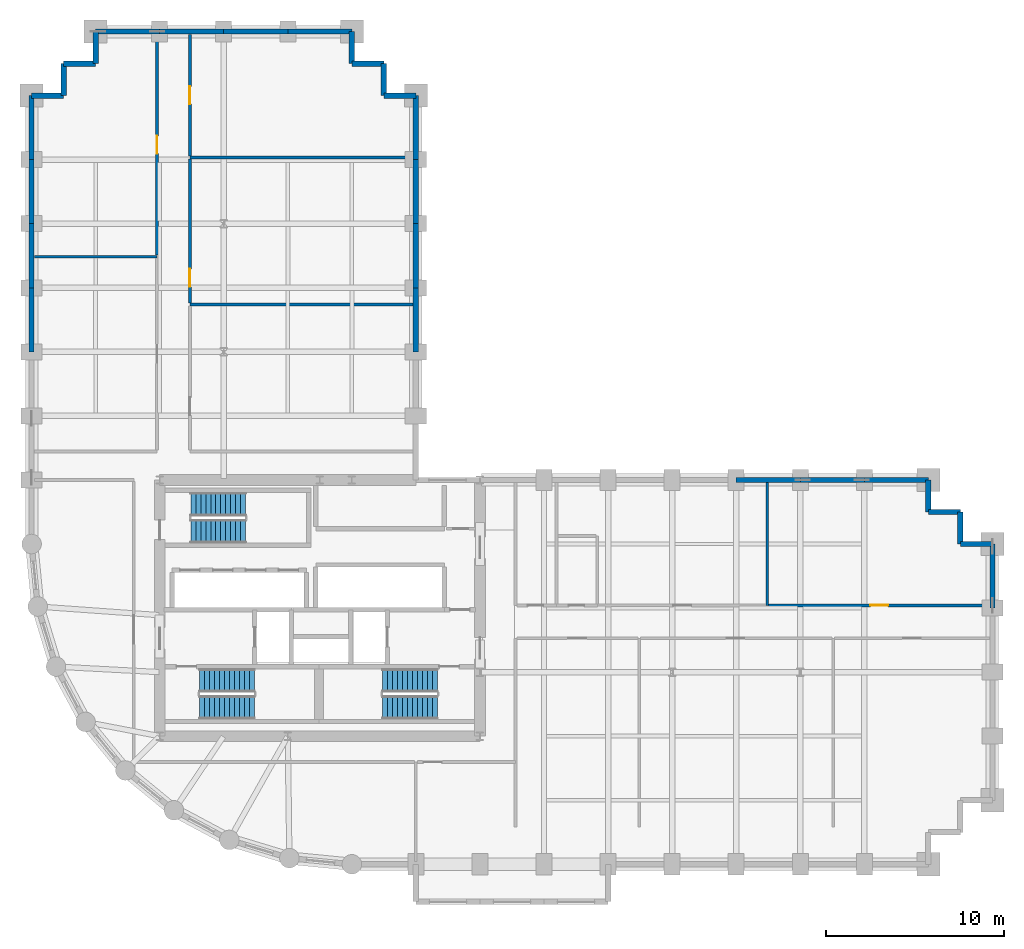
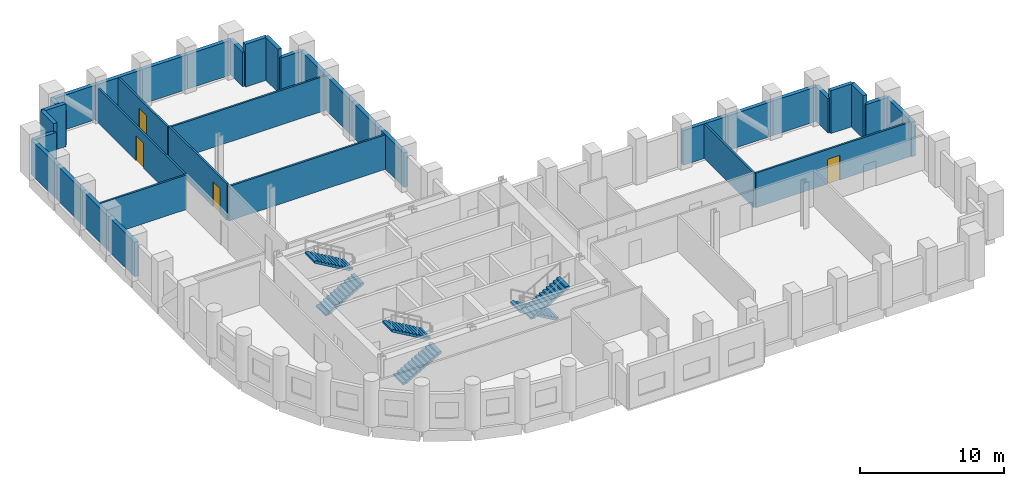
# One storey, part 8 of 9: 36 walls, 6 stair flights, 4 doors, 4 openings, 3 elements without a shape of their own.
"""IFC4 building model written with IfcOpenShell, lengths in metres."""

from ifc_helpers import new_model, si_unit, direction, frame, frame_2d, origin, place, context, subcontext, project, spatial, polyline, rectangle, outline, extrude, material, layer, layer_set, type_object, element, fill, aggregate, save


model = new_model("IFC4")

# Units and contexts
model_context = context("Model", 3, precision=1e-05, world=origin(), true_north=direction((0.0, 1.0)))
body_context = subcontext(model_context, "Body", "Model", "MODEL_VIEW")
ifc_project = project(units=[si_unit("LENGTHUNIT", "METRE"), si_unit("AREAUNIT", "SQUARE_METRE"), si_unit("VOLUMEUNIT", "CUBIC_METRE"), si_unit("PLANEANGLEUNIT", "RADIAN"), si_unit("MASSUNIT", "GRAM", prefix="KILO")], contexts=[model_context])

# Site, building, storey
site_placement = place(None, origin())
site = spatial("IfcSite", under=ifc_project, at=site_placement, CompositionType="ELEMENT")
building_placement = place(site_placement, origin())
building = spatial("IfcBuilding", under=site, at=building_placement, Name="Solnavia Interchange Tower", CompositionType="ELEMENT")
storey_placement = place(building_placement, frame((0.0, 0.0, 59.10009765625)))
storey = spatial("IfcBuildingStorey", under=building, at=storey_placement, Name="L14", CompositionType="ELEMENT", Elevation=59.10009765625)

# Walls
ifc_material_1 = material(Name="Concrete C40/50", Category="concrete")
ifc_layer_1 = layer(ifc_material_1, 0.300048828125)
ifc_layer_set_1 = layer_set([ifc_layer_1], Name="Concrete C40/50")
wall_type_1 = type_object("IfcWallType", Name="Wall-ExtSpandrel-300", PredefinedType="STANDARD", material=ifc_layer_set_1)
wall_1_placement = place(storey_placement, frame((61.199951171875, 21.60009765625, 0.0), z_axis=(0.0, 0.0, 1.0), x_axis=(0.0, -1.0, 0.0)))
element("IfcWall", 1, at=wall_1_placement, inside=storey, type_object=wall_type_1, Name="EXW-L14-19 Exterior precast spandrel wall", PredefinedType="STANDARD", context=body_context, shape_type="SweptSolid", body=[
    extrude(rectangle(XDim=3.60009765625, YDim=0.300048828125, at=frame_2d((1.800048828125, 0.0))), origin(), (0.0, 0.0, 1.0), 2.929931640625),
])
wall_2_placement = place(storey_placement, frame((61.199951171875, 21.60009765625, 0.0), z_axis=(0.0, 0.0, 1.0), x_axis=(-1.0, 0.0, 0.0)))
element("IfcWall", 2, at=wall_2_placement, inside=storey, type_object=wall_type_1, Name="EXW-L14-20 Exterior precast spandrel wall", PredefinedType="STANDARD", context=body_context, shape_type="SweptSolid", body=[
    extrude(rectangle(XDim=1.800048828125, YDim=0.300048828125, at=frame_2d((0.89990234375, 0.0))), origin(), (0.0, 0.0, 1.0), 2.929931640625),
])
for number, where, z_axis, x_axis, name in (
    (3, (59.39990234375, 23.39990234375, 0.0), (0.0, 0.0, 1.0), (0.0, -1.0, 0.0), "EXW-L14-21 Exterior precast spandrel wall"),
    (4, (57.60009765625, 23.39990234375, 0.0), (0.0, 0.0, 1.0), (1.0, 0.0, 0.0), "EXW-L14-22 Exterior precast spandrel wall"),
):
    element("IfcWall", number, at=place(storey_placement, frame(where, z_axis=z_axis, x_axis=x_axis)), inside=storey, type_object=wall_type_1, Name=name, PredefinedType="STANDARD", context=body_context, shape_type="SweptSolid", body=[
        extrude(rectangle(XDim=1.7998046875, YDim=0.300048828125, at=frame_2d((0.89990234375, 0.0))), origin(), (0.0, 0.0, 1.0), 3.635009765625),
    ])
wall_3_placement = place(storey_placement, frame((57.60009765625, 25.199951171875, 0.0), z_axis=(0.0, 0.0, 1.0), x_axis=(0.0, -1.0, 0.0)))
element("IfcWall", 5, at=wall_3_placement, inside=storey, type_object=wall_type_1, Name="EXW-L14-23 Exterior precast spandrel wall", PredefinedType="STANDARD", context=body_context, shape_type="SweptSolid", body=[
    extrude(rectangle(XDim=1.800048828125, YDim=0.300048828125, at=frame_2d((0.89990234375, 0.0))), origin(), (0.0, 0.0, 1.0), 2.929931640625),
])
for number, where, z_axis, x_axis, name in (
    (6, (54.0, 25.199951171875, 0.0), (0.0, 0.0, 1.0), (1.0, 0.0, 0.0), "EXW-L14-24 Exterior precast spandrel wall"),
    (7, (50.39990234375, 25.199951171875, 0.0), (0.0, 0.0, 1.0), (1.0, 0.0, 0.0), "EXW-L14-25 Exterior precast spandrel wall"),
):
    element("IfcWall", number, at=place(storey_placement, frame(where, z_axis=z_axis, x_axis=x_axis)), inside=storey, type_object=wall_type_1, Name=name, PredefinedType="STANDARD", context=body_context, shape_type="SweptSolid", body=[
        extrude(rectangle(XDim=3.60009765625, YDim=0.300048828125, at=frame_2d((1.800048828125, 0.0))), origin(), (0.0, 0.0, 1.0), 2.929931640625),
    ])
wall_4_placement = place(storey_placement, frame((46.800048828125, 25.199951171875, 0.0), z_axis=(0.0, 0.0, 1.0), x_axis=(1.0, 0.0, 0.0)))
element("IfcWall", 8, at=wall_4_placement, inside=storey, type_object=wall_type_1, Name="EXW-L14-26 Exterior precast spandrel wall", PredefinedType="STANDARD", context=body_context, shape_type="SweptSolid", body=[
    extrude(rectangle(XDim=3.599853515625, YDim=0.300048828125, at=frame_2d((1.7998046875, 0.0))), origin(), (0.0, 0.0, 1.0), 2.929931640625),
])
for number, where, z_axis, x_axis, name in (
    (9, (28.800048828125, 32.39990234375, 0.0), (0.0, 0.0, 1.0), (0.0, 1.0, 0.0), "EXW-L14-34 Exterior precast spandrel wall"),
    (10, (28.800048828125, 36.0, 0.0), (0.0, 0.0, 1.0), (0.0, 1.0, 0.0), "EXW-L14-35 Exterior precast spandrel wall"),
):
    element("IfcWall", number, at=place(storey_placement, frame(where, z_axis=z_axis, x_axis=x_axis)), inside=storey, type_object=wall_type_1, Name=name, PredefinedType="STANDARD", context=body_context, shape_type="SweptSolid", body=[
        extrude(rectangle(XDim=3.60009765625, YDim=0.300048828125, at=frame_2d((1.800048828125, 0.0))), origin(), (0.0, 0.0, 1.0), 2.929931640625),
    ])
wall_5_placement = place(storey_placement, frame((28.800048828125, 39.60009765625, 0.0), z_axis=(0.0, 0.0, 1.0), x_axis=(0.0, 1.0, 0.0)))
element("IfcWall", 11, at=wall_5_placement, inside=storey, type_object=wall_type_1, Name="EXW-L14-36 Exterior precast spandrel wall", PredefinedType="STANDARD", context=body_context, shape_type="SweptSolid", body=[
    extrude(rectangle(XDim=3.599853515625, YDim=0.300048828125, at=frame_2d((1.7998046875, 0.0))), origin(), (0.0, 0.0, 1.0), 2.929931640625),
])
wall_6_placement = place(storey_placement, frame((28.800048828125, 43.199951171875, 0.0), z_axis=(0.0, 0.0, 1.0), x_axis=(0.0, 1.0, 0.0)))
element("IfcWall", 12, at=wall_6_placement, inside=storey, type_object=wall_type_1, Name="EXW-L14-37 Exterior precast spandrel wall", PredefinedType="STANDARD", context=body_context, shape_type="SweptSolid", body=[
    extrude(rectangle(XDim=3.60009765625, YDim=0.300048828125, at=frame_2d((1.800048828125, 0.0))), origin(), (0.0, 0.0, 1.0), 2.929931640625),
])
wall_7_placement = place(storey_placement, frame((27.0, 46.800048828125, 0.0), z_axis=(0.0, 0.0, 1.0), x_axis=(1.0, 0.0, 0.0)))
element("IfcWall", 13, at=wall_7_placement, inside=storey, type_object=wall_type_1, Name="EXW-L14-38 Exterior precast spandrel wall", PredefinedType="STANDARD", context=body_context, shape_type="SweptSolid", body=[
    extrude(rectangle(XDim=1.800048828125, YDim=0.300048828125, at=frame_2d((0.89990234375, 0.0))), origin(), (0.0, 0.0, 1.0), 2.929931640625),
])
for number, where, z_axis, x_axis, name in (
    (14, (27.0, 46.800048828125, 0.0), (0.0, 0.0, 1.0), (0.0, 1.0, 0.0), "EXW-L14-39 Exterior precast spandrel wall"),
    (15, (25.199951171875, 48.60009765625, 0.0), (0.0, 0.0, 1.0), (1.0, 0.0, 0.0), "EXW-L14-40 Exterior precast spandrel wall"),
):
    element("IfcWall", number, at=place(storey_placement, frame(where, z_axis=z_axis, x_axis=x_axis)), inside=storey, type_object=wall_type_1, Name=name, PredefinedType="STANDARD", context=body_context, shape_type="SweptSolid", body=[
        extrude(rectangle(XDim=1.800048828125, YDim=0.300048828125, at=frame_2d((0.89990234375, 0.0))), origin(), (0.0, 0.0, 1.0), 3.635009765625),
    ])
wall_8_placement = place(storey_placement, frame((25.199951171875, 48.60009765625, 0.0), z_axis=(0.0, 0.0, 1.0), x_axis=(0.0, 1.0, 0.0)))
element("IfcWall", 16, at=wall_8_placement, inside=storey, type_object=wall_type_1, Name="EXW-L14-41 Exterior precast spandrel wall", PredefinedType="STANDARD", context=body_context, shape_type="SweptSolid", body=[
    extrude(rectangle(XDim=1.7998046875, YDim=0.300048828125, at=frame_2d((0.89990234375, 0.0))), origin(), (0.0, 0.0, 1.0), 2.929931640625),
])
wall_9_placement = place(storey_placement, frame((21.60009765625, 50.39990234375, 0.0), z_axis=(0.0, 0.0, 1.0), x_axis=(1.0, 0.0, 0.0)))
element("IfcWall", 17, at=wall_9_placement, inside=storey, type_object=wall_type_1, Name="EXW-L14-42 Exterior precast spandrel wall", PredefinedType="STANDARD", context=body_context, shape_type="SweptSolid", body=[
    extrude(rectangle(XDim=3.599853515625, YDim=0.300048828125, at=frame_2d((1.7998046875, 0.0))), origin(), (0.0, 0.0, 1.0), 2.929931640625),
])
for number, where, z_axis, x_axis, name in (
    (18, (18.0, 50.39990234375, 0.0), (0.0, 0.0, 1.0), (1.0, 0.0, 0.0), "EXW-L14-43 Exterior precast spandrel wall"),
    (19, (14.39990234375, 50.39990234375, 0.0), (0.0, 0.0, 1.0), (1.0, 0.0, 0.0), "EXW-L14-44 Exterior precast spandrel wall"),
):
    element("IfcWall", number, at=place(storey_placement, frame(where, z_axis=z_axis, x_axis=x_axis)), inside=storey, type_object=wall_type_1, Name=name, PredefinedType="STANDARD", context=body_context, shape_type="SweptSolid", body=[
        extrude(rectangle(XDim=3.60009765625, YDim=0.300048828125, at=frame_2d((1.800048828125, 0.0))), origin(), (0.0, 0.0, 1.0), 2.929931640625),
    ])
wall_10_placement = place(storey_placement, frame((10.800048828125, 50.39990234375, 0.0), z_axis=(0.0, 0.0, 1.0), x_axis=(1.0, 0.0, 0.0)))
element("IfcWall", 20, at=wall_10_placement, inside=storey, type_object=wall_type_1, Name="EXW-L14-45 Exterior precast spandrel wall", PredefinedType="STANDARD", context=body_context, shape_type="SweptSolid", body=[
    extrude(rectangle(XDim=3.599853515625, YDim=0.300048828125, at=frame_2d((1.7998046875, 0.0))), origin(), (0.0, 0.0, 1.0), 2.929931640625),
])
wall_11_placement = place(storey_placement, frame((10.800048828125, 48.60009765625, 0.0), z_axis=(0.0, 0.0, 1.0), x_axis=(0.0, 1.0, 0.0)))
element("IfcWall", 21, at=wall_11_placement, inside=storey, type_object=wall_type_1, Name="EXW-L14-46 Exterior precast spandrel wall", PredefinedType="STANDARD", context=body_context, shape_type="SweptSolid", body=[
    extrude(rectangle(XDim=1.7998046875, YDim=0.300048828125, at=frame_2d((0.89990234375, 0.0))), origin(), (0.0, 0.0, 1.0), 2.929931640625),
])
for number, where, z_axis, x_axis, name in (
    (22, (9.0, 48.60009765625, 0.0), (0.0, 0.0, 1.0), (1.0, 0.0, 0.0), "EXW-L14-47 Exterior precast spandrel wall"),
    (23, (9.0, 46.800048828125, 0.0), (0.0, 0.0, 1.0), (0.0, 1.0, 0.0), "EXW-L14-48 Exterior precast spandrel wall"),
):
    element("IfcWall", number, at=place(storey_placement, frame(where, z_axis=z_axis, x_axis=x_axis)), inside=storey, type_object=wall_type_1, Name=name, PredefinedType="STANDARD", context=body_context, shape_type="SweptSolid", body=[
        extrude(rectangle(XDim=1.800048828125, YDim=0.300048828125, at=frame_2d((0.89990234375, 0.0))), origin(), (0.0, 0.0, 1.0), 3.635009765625),
    ])
wall_12_placement = place(storey_placement, frame((7.199951171875, 46.800048828125, 0.0), z_axis=(0.0, 0.0, 1.0), x_axis=(1.0, 0.0, 0.0)))
element("IfcWall", 24, at=wall_12_placement, inside=storey, type_object=wall_type_1, Name="EXW-L14-49 Exterior precast spandrel wall", PredefinedType="STANDARD", context=body_context, shape_type="SweptSolid", body=[
    extrude(rectangle(XDim=1.800048828125, YDim=0.300048828125, at=frame_2d((0.89990234375, 0.0))), origin(), (0.0, 0.0, 1.0), 2.929931640625),
])
wall_13_placement = place(storey_placement, frame((7.199951171875, 43.199951171875, 0.0), z_axis=(0.0, 0.0, 1.0), x_axis=(0.0, 1.0, 0.0)))
element("IfcWall", 25, at=wall_13_placement, inside=storey, type_object=wall_type_1, Name="EXW-L14-50 Exterior precast spandrel wall", PredefinedType="STANDARD", context=body_context, shape_type="SweptSolid", body=[
    extrude(rectangle(XDim=3.60009765625, YDim=0.300048828125, at=frame_2d((1.800048828125, 0.0))), origin(), (0.0, 0.0, 1.0), 2.929931640625),
])
wall_14_placement = place(storey_placement, frame((7.199951171875, 39.60009765625, 0.0), z_axis=(0.0, 0.0, 1.0), x_axis=(0.0, 1.0, 0.0)))
element("IfcWall", 26, at=wall_14_placement, inside=storey, type_object=wall_type_1, Name="EXW-L14-51 Exterior precast spandrel wall", PredefinedType="STANDARD", context=body_context, shape_type="SweptSolid", body=[
    extrude(rectangle(XDim=3.599853515625, YDim=0.300048828125, at=frame_2d((1.7998046875, 0.0))), origin(), (0.0, 0.0, 1.0), 2.929931640625),
])
for number, where, z_axis, x_axis, name in (
    (27, (7.199951171875, 36.0, 0.0), (0.0, 0.0, 1.0), (0.0, 1.0, 0.0), "EXW-L14-52 Exterior precast spandrel wall"),
    (28, (7.199951171875, 32.39990234375, 0.0), (0.0, 0.0, 1.0), (0.0, 1.0, 0.0), "EXW-L14-53 Exterior precast spandrel wall"),
):
    element("IfcWall", number, at=place(storey_placement, frame(where, z_axis=z_axis, x_axis=x_axis)), inside=storey, type_object=wall_type_1, Name=name, PredefinedType="STANDARD", context=body_context, shape_type="SweptSolid", body=[
        extrude(rectangle(XDim=3.60009765625, YDim=0.300048828125, at=frame_2d((1.800048828125, 0.0))), origin(), (0.0, 0.0, 1.0), 2.929931640625),
    ])
ifc_material_2 = material(Name="Gypsum Plasterboard & Steel Stud", Category="steel")
ifc_layer_2 = layer(ifc_material_2, 0.14990234375)
ifc_layer_set_2 = layer_set([ifc_layer_2], Name="Gypsum Plasterboard & Steel Stud")
wall_type_2 = type_object("IfcWallType", Name="Wall-Partition-150", PredefinedType="PARTITIONING", material=ifc_layer_set_2)
wall_15_placement = place(storey_placement, frame((48.550048828125, 18.14990234375, 0.0), z_axis=(0.0, 0.0, 1.0), x_axis=(0.0, 1.0, 0.0)))
element("IfcWall", 29, at=wall_15_placement, inside=storey, type_object=wall_type_2, Name="PTW-L14-18 Interior partition wall", PredefinedType="PARTITIONING", context=body_context, shape_type="SweptSolid", body=[
    extrude(rectangle(XDim=6.89599609375, YDim=0.14990234375, at=frame_2d((3.447998046875, 0.0))), origin(), (0.0, 0.0, 1.0), 2.929931640625),
])

# Wall, opening, door
wall_16_placement = place(storey_placement, frame((48.62890625, 18.14990234375, 0.0), z_axis=(0.0, 0.0, 1.0), x_axis=(1.0, 0.0, 0.0)))
wall_16 = element("IfcWall", 30, at=wall_16_placement, inside=storey, type_object=wall_type_2, Name="PTW-L14-20 Interior partition wall", PredefinedType="PARTITIONING", context=body_context, shape_type="SweptSolid", body=[
    extrude(rectangle(XDim=12.4169921875, YDim=0.14990234375, at=frame_2d((6.20849609375, 0.0))), origin(), (0.0, 0.0, 1.0), 2.929931640625),
])
opening_1_placement = place(wall_16_placement, frame((5.7060546875, 0.0, 0.0)))
opening_1 = element("IfcOpeningElement", 31, at=opening_1_placement, cuts=wall_16, Name="Opening DR-07", PredefinedType="OPENING", context=body_context, shape_type="SweptSolid", body=[
    extrude(rectangle(XDim=1.0, YDim=2.10009765625, at=frame_2d((0.5, 1.050048828125))), frame((0.0, 0.0849609375, 0.0), z_axis=(0.0, -1.0, 0.0), x_axis=(1.0, 0.0, 0.0)), (0.0, 0.0, 1.0), 0.169921875),
])
ifc_material_3 = material(Name="Timber & Acoustic Glazed Office Door", Category="wood")
door_type = type_object("IfcDoorType", Name="Door-Office-1000x2100", OperationType="SINGLE_SWING_RIGHT", PredefinedType="DOOR", material=ifc_material_3)
door_1_placement = place(opening_1_placement, origin())
door_1 = element("IfcDoor", 32, at=door_1_placement, inside=storey, type_object=door_type, Name="DR-L14-09 Interior room door", OperationType="SINGLE_SWING_RIGHT", OverallHeight=2.10009765625, OverallWidth=1.0, PredefinedType="DOOR", context=body_context, shape_type="SweptSolid", body=[
    extrude(rectangle(XDim=1.0, YDim=2.10009765625, at=frame_2d((0.5, 1.050048828125))), frame((0.0, 0.02490234375, 0.0), z_axis=(0.0, -1.0, 0.0), x_axis=(1.0, 0.0, 0.0)), (0.0, 0.0, 1.0), 0.050048828125),
])
fill(opening_1, door_1)

# Wall
wall_17_placement = place(storey_placement, frame((7.35400390625, 37.75, 0.0), z_axis=(0.0, 0.0, 1.0), x_axis=(1.0, 0.0, 0.0)))
element("IfcWall", 33, at=wall_17_placement, inside=storey, type_object=wall_type_2, Name="PTW-L14-22 Interior partition wall", PredefinedType="PARTITIONING", context=body_context, shape_type="SweptSolid", body=[
    extrude(rectangle(XDim=6.89599609375, YDim=0.14990234375, at=frame_2d((3.447998046875, 0.0))), origin(), (0.0, 0.0, 1.0), 2.929931640625),
])

# Wall, opening, door
wall_18_placement = place(storey_placement, frame((14.25, 37.8291015625, 0.0), z_axis=(0.0, 0.0, 1.0), x_axis=(0.0, 1.0, 0.0)))
wall_18 = element("IfcWall", 34, at=wall_18_placement, inside=storey, type_object=wall_type_2, Name="PTW-L14-24 Interior partition wall", PredefinedType="PARTITIONING", context=body_context, shape_type="SweptSolid", body=[
    extrude(rectangle(XDim=12.4169921875, YDim=0.14990234375, at=frame_2d((6.20849609375, 0.0))), origin(), (0.0, 0.0, 1.0), 2.929931640625),
])
opening_2_placement = place(wall_18_placement, frame((5.7060546875, 0.0, 0.0)))
opening_2 = element("IfcOpeningElement", 35, at=opening_2_placement, cuts=wall_18, Name="Opening DR-07", PredefinedType="OPENING", context=body_context, shape_type="SweptSolid", body=[
    extrude(rectangle(XDim=1.0, YDim=2.10009765625, at=frame_2d((0.5, 1.050048828125))), frame((0.0, 0.0849609375, 0.0), z_axis=(0.0, -1.0, 0.0), x_axis=(1.0, 0.0, 0.0)), (0.0, 0.0, 1.0), 0.169921875),
])
door_2_placement = place(opening_2_placement, origin())
door_2 = element("IfcDoor", 36, at=door_2_placement, inside=storey, type_object=door_type, Name="DR-L14-11 Interior room door", OperationType="SINGLE_SWING_RIGHT", OverallHeight=2.10009765625, OverallWidth=1.0, PredefinedType="DOOR", context=body_context, shape_type="SweptSolid", body=[
    extrude(rectangle(XDim=1.0, YDim=2.10009765625, at=frame_2d((0.5, 1.050048828125))), frame((0.0, 0.02490234375, 0.0), z_axis=(0.0, -1.0, 0.0), x_axis=(1.0, 0.0, 0.0)), (0.0, 0.0, 1.0), 0.050048828125),
])
fill(opening_2, door_2)

# Walls
for number, where, z_axis, x_axis, name in (
    (37, (16.10009765625, 35.06005859375, 0.0), (0.0, 0.0, 1.0), (1.0, 0.0, 0.0), "PTW-L14-26 Interior partition wall"),
    (38, (16.10009765625, 43.320068359375, 0.0), (0.0, 0.0, 1.0), (1.0, 0.0, 0.0), "PTW-L14-28 Interior partition wall"),
):
    element("IfcWall", number, at=place(storey_placement, frame(where, z_axis=z_axis, x_axis=x_axis)), inside=storey, type_object=wall_type_2, Name=name, PredefinedType="PARTITIONING", context=body_context, shape_type="SweptSolid", body=[
        extrude(rectangle(XDim=12.5458984375, YDim=0.14990234375, at=frame_2d((6.27294921875, 0.0))), origin(), (0.0, 0.0, 1.0), 2.929931640625),
    ])

# Wall, opening, door
wall_19_placement = place(storey_placement, frame((16.10009765625, 35.138916015625, 0.0), z_axis=(0.0, 0.0, 1.0), x_axis=(0.0, 1.0, 0.0)))
wall_19 = element("IfcWall", 39, at=wall_19_placement, inside=storey, type_object=wall_type_2, Name="PTW-L14-29 Interior partition wall", PredefinedType="PARTITIONING", context=body_context, shape_type="SweptSolid", body=[
    extrude(rectangle(XDim=8.10205078125, YDim=0.14990234375, at=frame_2d((4.051025390625, 0.0))), origin(), (0.0, 0.0, 1.0), 3.079833984375),
])
opening_3_placement = place(wall_19_placement, frame((0.9189453125, 0.0, 0.0)))
opening_3 = element("IfcOpeningElement", 40, at=opening_3_placement, cuts=wall_19, Name="Opening DR-07", PredefinedType="OPENING", context=body_context, shape_type="SweptSolid", body=[
    extrude(rectangle(XDim=1.0, YDim=2.10009765625, at=frame_2d((0.5, 1.050048828125))), frame((0.0, 0.0849609375, 0.0), z_axis=(0.0, -1.0, 0.0), x_axis=(1.0, 0.0, 0.0)), (0.0, 0.0, 1.0), 0.169921875),
])
door_3_placement = place(opening_3_placement, origin())
door_3 = element("IfcDoor", 41, at=door_3_placement, inside=storey, type_object=door_type, Name="DR-L14-13 Interior room door", OperationType="SINGLE_SWING_LEFT", OverallHeight=2.10009765625, OverallWidth=1.0, PredefinedType="DOOR", context=body_context, shape_type="SweptSolid", body=[
    extrude(rectangle(XDim=1.0, YDim=2.10009765625, at=frame_2d((0.5, 1.050048828125))), frame((0.0, 0.02490234375, 0.0), z_axis=(0.0, -1.0, 0.0), x_axis=(1.0, 0.0, 0.0)), (0.0, 0.0, 1.0), 0.050048828125),
])
fill(opening_3, door_3)

wall_20_placement = place(storey_placement, frame((16.10009765625, 43.39892578125, 0.0), z_axis=(0.0, 0.0, 1.0), x_axis=(0.0, 1.0, 0.0)))
wall_20 = element("IfcWall", 42, at=wall_20_placement, inside=storey, type_object=wall_type_2, Name="PTW-L14-30 Interior partition wall", PredefinedType="PARTITIONING", context=body_context, shape_type="SweptSolid", body=[
    extrude(rectangle(XDim=6.84716796875, YDim=0.14990234375, at=frame_2d((3.423583984375, 0.0))), origin(), (0.0, 0.0, 1.0), 2.929931640625),
])
opening_4_placement = place(wall_20_placement, frame((2.9208984375, 0.0, 0.0)))
opening_4 = element("IfcOpeningElement", 43, at=opening_4_placement, cuts=wall_20, Name="Opening DR-07", PredefinedType="OPENING", context=body_context, shape_type="SweptSolid", body=[
    extrude(rectangle(XDim=1.0, YDim=2.10009765625, at=frame_2d((0.5, 1.050048828125))), frame((0.0, 0.0849609375, 0.0), z_axis=(0.0, -1.0, 0.0), x_axis=(1.0, 0.0, 0.0)), (0.0, 0.0, 1.0), 0.169921875),
])
door_4_placement = place(opening_4_placement, origin())
door_4 = element("IfcDoor", 44, at=door_4_placement, inside=storey, type_object=door_type, Name="DR-L14-14 Interior room door", OperationType="SINGLE_SWING_LEFT", OverallHeight=2.10009765625, OverallWidth=1.0, PredefinedType="DOOR", context=body_context, shape_type="SweptSolid", body=[
    extrude(rectangle(XDim=1.0, YDim=2.10009765625, at=frame_2d((0.5, 1.050048828125))), frame((0.0, 0.02490234375, 0.0), z_axis=(0.0, -1.0, 0.0), x_axis=(1.0, 0.0, 0.0)), (0.0, 0.0, 1.0), 0.050048828125),
])
fill(opening_4, door_4)

# Stair, stair flights
stair_type = type_object("IfcStairType", Name="Stair-Dogleg-RC", PredefinedType="HALF_TURN_STAIR", material=ifc_material_1)
stair_1_placement = place(storey_placement, origin())
stair_1 = element("IfcStair", 45, at=stair_1_placement, inside=storey, type_object=stair_type, Name="L14 Core exit stair 1", PredefinedType="HALF_TURN_STAIR")
stair_flight_type = type_object("IfcStairFlightType", Name="StairFlight-RC-150", PredefinedType="STRAIGHT", material=ifc_material_1)
stair_flight_1_placement = place(storey_placement, frame((16.64990234375, 12.409912109375, 0.0), z_axis=(0.0, 0.0, 1.0), x_axis=(1.0, 0.0, 0.0)))
stair_flight_1 = element("IfcStairFlight", 46, at=stair_flight_1_placement, type_object=stair_flight_type, Name="ST-1 flight 1", NumberOfRisers=12, NumberOfTreads=11, PredefinedType="STRAIGHT", RiserHeight=0.1625, TreadLength=0.28, context=body_context, shape_type="SweptSolid", body=[
    extrude(outline(polyline([(0.0, 0.0), (0.0, 0.16259765625), (0.280029296875, 0.16259765625), (0.280029296875, 0.324951171875), (0.56005859375, 0.324951171875), (0.56005859375, 0.487548828125), (0.840087890625, 0.487548828125), (0.840087890625, 0.64990234375), (1.1201171875, 0.64990234375), (1.1201171875, 0.8125), (1.39990234375, 0.8125), (1.39990234375, 0.97509765625), (1.679931640625, 0.97509765625), (1.679931640625, 1.137451171875), (1.9599609375, 1.137451171875), (1.9599609375, 1.300048828125), (2.239990234375, 1.300048828125), (2.239990234375, 1.46240234375), (2.52001953125, 1.46240234375), (2.52001953125, 1.625), (2.800048828125, 1.625), (2.800048828125, 1.78759765625), (3.080078125, 1.78759765625), (3.080078125, 1.949951171875), (3.080078125, 1.6142578125), (0.298583984375, 0.0), (0.0, 0.0)])), frame((0.0, 0.66015625, 0.0), z_axis=(0.0, -1.0, 0.0), x_axis=(1.0, 0.0, 0.0)), (0.0, 0.0, 1.0), 1.320068359375),
])
stair_flight_2_placement = place(storey_placement, frame((19.72998046875, 13.929931640625, 1.949951171875), z_axis=(0.0, 0.0, 1.0), x_axis=(-1.0, 0.0, 0.0)))
stair_flight_2 = element("IfcStairFlight", 47, at=stair_flight_2_placement, type_object=stair_flight_type, Name="ST-1 flight 2", NumberOfRisers=12, NumberOfTreads=11, PredefinedType="STRAIGHT", RiserHeight=0.1625, TreadLength=0.28, context=body_context, shape_type="SweptSolid", body=[
    extrude(outline(polyline([(0.0, 0.0), (0.0, 0.16259765625), (0.280029296875, 0.16259765625), (0.280029296875, 0.324951171875), (0.56005859375, 0.324951171875), (0.56005859375, 0.487548828125), (0.840087890625, 0.487548828125), (0.840087890625, 0.64990234375), (1.1201171875, 0.64990234375), (1.1201171875, 0.8125), (1.39990234375, 0.8125), (1.39990234375, 0.97509765625), (1.679931640625, 0.97509765625), (1.679931640625, 1.137451171875), (1.9599609375, 1.137451171875), (1.9599609375, 1.300048828125), (2.239990234375, 1.300048828125), (2.239990234375, 1.46240234375), (2.52001953125, 1.46240234375), (2.52001953125, 1.625), (2.800048828125, 1.625), (2.800048828125, 1.78759765625), (3.080078125, 1.78759765625), (3.080078125, 1.949951171875), (3.080078125, 1.6142578125), (0.298583984375, 0.0), (0.0, 0.0)])), frame((0.0, 0.66015625, 0.0), z_axis=(0.0, -1.0, 0.0), x_axis=(1.0, 0.0, 0.0)), (0.0, 0.0, 1.0), 1.320068359375),
])
aggregate(stair_1, [stair_flight_1, stair_flight_2])

stair_2_placement = place(storey_placement, origin())
stair_2 = element("IfcStair", 48, at=stair_2_placement, inside=storey, type_object=stair_type, Name="L14 Core exit stair 2", PredefinedType="HALF_TURN_STAIR")
stair_flight_3_placement = place(storey_placement, frame((30.0, 13.929931640625, 0.0), z_axis=(0.0, 0.0, 1.0), x_axis=(-1.0, 0.0, 0.0)))
stair_flight_3 = element("IfcStairFlight", 49, at=stair_flight_3_placement, type_object=stair_flight_type, Name="ST-2 flight 1", NumberOfRisers=12, NumberOfTreads=11, PredefinedType="STRAIGHT", RiserHeight=0.1625, TreadLength=0.28, context=body_context, shape_type="SweptSolid", body=[
    extrude(outline(polyline([(0.0, 0.0), (0.0, 0.16259765625), (0.280029296875, 0.16259765625), (0.280029296875, 0.324951171875), (0.56005859375, 0.324951171875), (0.56005859375, 0.487548828125), (0.840087890625, 0.487548828125), (0.840087890625, 0.64990234375), (1.1201171875, 0.64990234375), (1.1201171875, 0.8125), (1.39990234375, 0.8125), (1.39990234375, 0.97509765625), (1.679931640625, 0.97509765625), (1.679931640625, 1.137451171875), (1.9599609375, 1.137451171875), (1.9599609375, 1.300048828125), (2.239990234375, 1.300048828125), (2.239990234375, 1.46240234375), (2.52001953125, 1.46240234375), (2.52001953125, 1.625), (2.800048828125, 1.625), (2.800048828125, 1.78759765625), (3.080078125, 1.78759765625), (3.080078125, 1.949951171875), (3.080078125, 1.6142578125), (0.298583984375, 0.0), (0.0, 0.0)])), frame((0.0, 0.66015625, 0.0), z_axis=(0.0, -1.0, 0.0), x_axis=(1.0, 0.0, 0.0)), (0.0, 0.0, 1.0), 1.320068359375),
])
stair_flight_4_placement = place(storey_placement, frame((26.919921875, 12.409912109375, 1.949951171875), z_axis=(0.0, 0.0, 1.0), x_axis=(1.0, 0.0, 0.0)))
stair_flight_4 = element("IfcStairFlight", 50, at=stair_flight_4_placement, type_object=stair_flight_type, Name="ST-2 flight 2", NumberOfRisers=12, NumberOfTreads=11, PredefinedType="STRAIGHT", RiserHeight=0.1625, TreadLength=0.28, context=body_context, shape_type="SweptSolid", body=[
    extrude(outline(polyline([(0.0, 0.0), (0.0, 0.16259765625), (0.280029296875, 0.16259765625), (0.280029296875, 0.324951171875), (0.56005859375, 0.324951171875), (0.56005859375, 0.487548828125), (0.840087890625, 0.487548828125), (0.840087890625, 0.64990234375), (1.1201171875, 0.64990234375), (1.1201171875, 0.8125), (1.39990234375, 0.8125), (1.39990234375, 0.97509765625), (1.679931640625, 0.97509765625), (1.679931640625, 1.137451171875), (1.9599609375, 1.137451171875), (1.9599609375, 1.300048828125), (2.239990234375, 1.300048828125), (2.239990234375, 1.46240234375), (2.52001953125, 1.46240234375), (2.52001953125, 1.625), (2.800048828125, 1.625), (2.800048828125, 1.78759765625), (3.080078125, 1.78759765625), (3.080078125, 1.949951171875), (3.080078125, 1.6142578125), (0.298583984375, 0.0), (0.0, 0.0)])), frame((0.0, 0.66015625, 0.0), z_axis=(0.0, -1.0, 0.0), x_axis=(1.0, 0.0, 0.0)), (0.0, 0.0, 1.0), 1.320068359375),
])
aggregate(stair_2, [stair_flight_3, stair_flight_4])

stair_3_placement = place(storey_placement, origin())
stair_3 = element("IfcStair", 51, at=stair_3_placement, inside=storey, type_object=stair_type, Name="L14 Core exit stair 3", PredefinedType="HALF_TURN_STAIR")
stair_flight_5_placement = place(storey_placement, frame((16.14990234375, 22.31005859375, 0.0), z_axis=(0.0, 0.0, 1.0), x_axis=(1.0, 0.0, 0.0)))
stair_flight_5 = element("IfcStairFlight", 52, at=stair_flight_5_placement, type_object=stair_flight_type, Name="ST-3 flight 1", NumberOfRisers=12, NumberOfTreads=11, PredefinedType="STRAIGHT", RiserHeight=0.1625, TreadLength=0.28, context=body_context, shape_type="SweptSolid", body=[
    extrude(outline(polyline([(0.0, 0.0), (0.0, 0.16259765625), (0.280029296875, 0.16259765625), (0.280029296875, 0.324951171875), (0.56005859375, 0.324951171875), (0.56005859375, 0.487548828125), (0.840087890625, 0.487548828125), (0.840087890625, 0.64990234375), (1.1201171875, 0.64990234375), (1.1201171875, 0.8125), (1.39990234375, 0.8125), (1.39990234375, 0.97509765625), (1.679931640625, 0.97509765625), (1.679931640625, 1.137451171875), (1.9599609375, 1.137451171875), (1.9599609375, 1.300048828125), (2.239990234375, 1.300048828125), (2.239990234375, 1.46240234375), (2.52001953125, 1.46240234375), (2.52001953125, 1.625), (2.800048828125, 1.625), (2.800048828125, 1.78759765625), (3.080078125, 1.78759765625), (3.080078125, 1.949951171875), (3.080078125, 1.6142578125), (0.298583984375, 0.0), (0.0, 0.0)])), frame((0.0, 0.66015625, 0.0), z_axis=(0.0, -1.0, 0.0), x_axis=(1.0, 0.0, 0.0)), (0.0, 0.0, 1.0), 1.320068359375),
])
stair_flight_6_placement = place(storey_placement, frame((19.22998046875, 23.830078125, 1.949951171875), z_axis=(0.0, 0.0, 1.0), x_axis=(-1.0, 0.0, 0.0)))
stair_flight_6 = element("IfcStairFlight", 53, at=stair_flight_6_placement, type_object=stair_flight_type, Name="ST-3 flight 2", NumberOfRisers=12, NumberOfTreads=11, PredefinedType="STRAIGHT", RiserHeight=0.1625, TreadLength=0.28, context=body_context, shape_type="SweptSolid", body=[
    extrude(outline(polyline([(0.0, 0.0), (0.0, 0.16259765625), (0.280029296875, 0.16259765625), (0.280029296875, 0.324951171875), (0.56005859375, 0.324951171875), (0.56005859375, 0.487548828125), (0.840087890625, 0.487548828125), (0.840087890625, 0.64990234375), (1.1201171875, 0.64990234375), (1.1201171875, 0.8125), (1.39990234375, 0.8125), (1.39990234375, 0.97509765625), (1.679931640625, 0.97509765625), (1.679931640625, 1.137451171875), (1.9599609375, 1.137451171875), (1.9599609375, 1.300048828125), (2.239990234375, 1.300048828125), (2.239990234375, 1.46240234375), (2.52001953125, 1.46240234375), (2.52001953125, 1.625), (2.800048828125, 1.625), (2.800048828125, 1.78759765625), (3.080078125, 1.78759765625), (3.080078125, 1.949951171875), (3.080078125, 1.6142578125), (0.298583984375, 0.0), (0.0, 0.0)])), frame((0.0, 0.66015625, 0.0), z_axis=(0.0, -1.0, 0.0), x_axis=(1.0, 0.0, 0.0)), (0.0, 0.0, 1.0), 1.320068359375),
])
aggregate(stair_3, [stair_flight_5, stair_flight_6])

save(model, "model.ifc")
